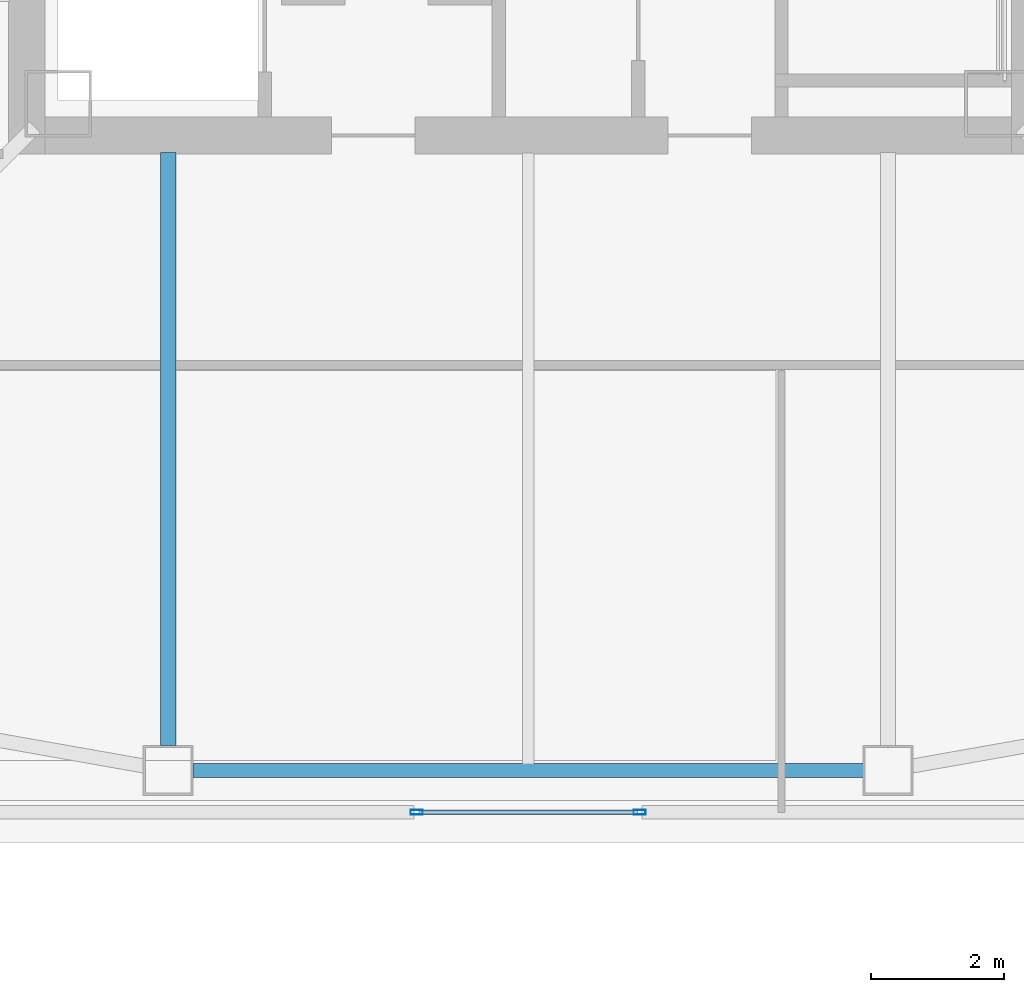
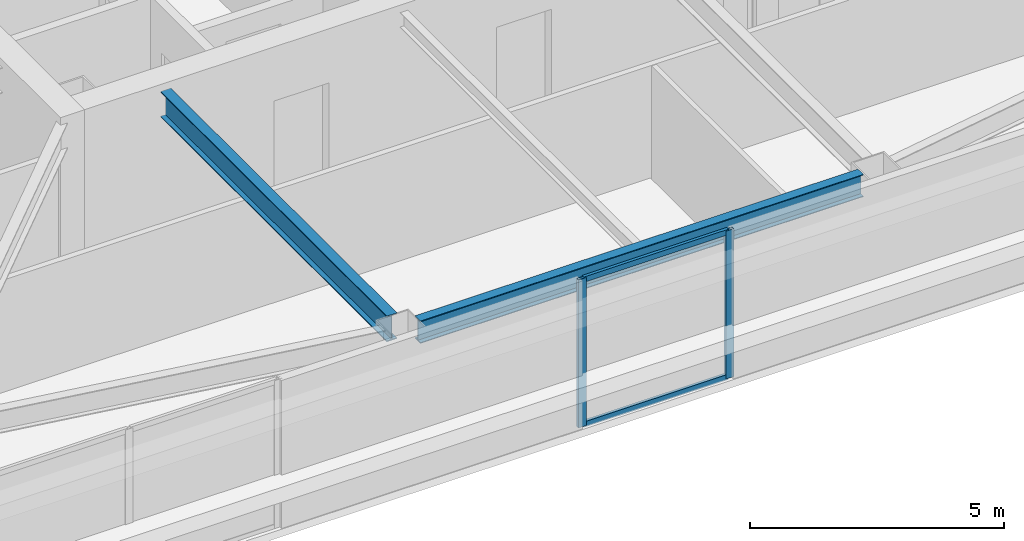
# One storey, part 5 of 43: 4 members, 2 beams, 1 element without a shape of its own.
"""IFC4 building model written with IfcOpenShell, lengths in metres."""

from ifc_helpers import new_model, si_unit, direction, frame, origin, origin_2d, place, context, subcontext, project, spatial, hollow_rectangle, i_section, extrude, material, material_profile, profile_set, type_object, element, aggregate, save


model = new_model("IFC4")

# Units and contexts
model_context = context("Model", 3, precision=1e-05, world=origin(), true_north=direction((0.0, 1.0)))
body_context = subcontext(model_context, "Body", "Model", "MODEL_VIEW")
ifc_project = project(units=[si_unit("LENGTHUNIT", "METRE"), si_unit("AREAUNIT", "SQUARE_METRE"), si_unit("VOLUMEUNIT", "CUBIC_METRE"), si_unit("PLANEANGLEUNIT", "RADIAN"), si_unit("MASSUNIT", "GRAM", prefix="KILO")], contexts=[model_context])

# Site, building, storey
site_placement = place(None, origin())
site = spatial("IfcSite", under=ifc_project, at=site_placement, CompositionType="ELEMENT")
building_placement = place(site_placement, origin())
building = spatial("IfcBuilding", under=site, at=building_placement, Name="Tashvorn Skyway Center", CompositionType="ELEMENT")
storey_placement = place(building_placement, frame((0.0, 0.0, 185.39990234375)))
storey = spatial("IfcBuildingStorey", under=building, at=storey_placement, Name="L50", CompositionType="ELEMENT", Elevation=185.39990234375)

# Beams
ifc_material_1 = material(Name="Steel ASTM A992 Grade 50", Category="steel")
ifc_material_profile_1 = material_profile(ifc_material_1, i_section(OverallWidth=0.22998046875, OverallDepth=0.616943359375, WebThickness=0.01318359375, FlangeThickness=0.022216796875, at=origin_2d()), Name="W24X94")
ifc_profile_set_1 = profile_set([ifc_material_profile_1], Name="Steel ASTM A992 Grade 50")
beam_type_1 = type_object("IfcBeamType", Name="BM-BEAM-W24X94", PredefinedType="BEAM", material=ifc_profile_set_1)
beam_1_placement = place(storey_placement, frame((36.60009765625, 15.320068359375, 3.0615234375), z_axis=(0.0, 1.0, 0.0), x_axis=(-1.0, 0.0, 0.0)))
element("IfcBeam", 1, at=beam_1_placement, inside=storey, type_object=beam_type_1, Name="Tower 1 L50 Primary Floor Girder FC-S1", PredefinedType="BEAM", context=body_context, shape_type="SweptSolid", body=[
    extrude(i_section(OverallWidth=0.22998046875, OverallDepth=0.616943359375, WebThickness=0.01318359375, FlangeThickness=0.022216796875, at=origin_2d()), origin(), (0.0, 0.0, 1.0), 8.89990234375),
])
ifc_material_profile_2 = material_profile(ifc_material_1, i_section(OverallWidth=0.2109375, OverallDepth=0.5390625, WebThickness=0.01171875, FlangeThickness=0.018798828125, at=origin_2d()), Name="W21X73")
ifc_profile_set_2 = profile_set([ifc_material_profile_2], Name="Steel ASTM A992 Grade 50")
beam_type_2 = type_object("IfcBeamType", Name="BM-SPANDREL-W21X73", PredefinedType="SPANDREL", material=ifc_profile_set_2)
beam_2_placement = place(storey_placement, frame((36.969970703125, 14.949951171875, 3.1005859375), z_axis=(1.0, 0.0, 0.0), x_axis=(0.0, 1.0, 0.0)))
element("IfcBeam", 2, at=beam_2_placement, inside=storey, type_object=beam_type_2, Name="Tower 1 L50 Spandrel Beam 02", PredefinedType="SPANDREL", context=body_context, shape_type="SweptSolid", body=[
    extrude(i_section(OverallWidth=0.2109375, OverallDepth=0.5390625, WebThickness=0.01171875, FlangeThickness=0.018798828125, at=origin_2d()), origin(), (0.0, 0.0, 1.0), 10.06005859375),
])

# Curtain wall, members
ifc_material_2 = material(Name="Thermally broken bronze-anodized aluminium 6063-T6", Category="aluminium")
curtain_wall_type = type_object("IfcCurtainWallType", Name="CW-CW-Z4", PredefinedType="NOTDEFINED", material=ifc_material_2)
curtain_wall_placement = place(storey_placement, origin())
curtain_wall = element("IfcCurtainWall", 3, at=curtain_wall_placement, inside=storey, type_object=curtain_wall_type, Name="Tower 1 L50 South Unitised Curtain Wall Glazing Group 2", PredefinedType="NOTDEFINED")
ifc_material_profile_3 = material_profile(ifc_material_2, hollow_rectangle(XDim=0.070068359375, YDim=0.179931640625, WallThickness=0.00390625, at=origin_2d()), Name="ALU-MULL-70x180")
ifc_profile_set_3 = profile_set([ifc_material_profile_3], Name="Thermally broken bronze-anodized aluminium 6063-T6")
member_type_1 = type_object("IfcMemberType", Name="CWM-CW-Z4", PredefinedType="MULLION", material=ifc_profile_set_3)
member_1_placement = place(storey_placement, frame((43.673828125, 14.320068359375, 0.0), z_axis=(0.0, 0.0, 1.0), x_axis=(0.0, -1.0, 0.0)))
member_1 = element("IfcMember", 4, at=member_1_placement, type_object=member_type_1, Name="CW-Z4 mullion 1", PredefinedType="MULLION", context=body_context, shape_type="SweptSolid", body=[
    extrude(hollow_rectangle(XDim=0.070068359375, YDim=0.179931640625, WallThickness=0.00390625, at=origin_2d()), origin(), (0.0, 0.0, 1.0), 3.550048828125),
])
member_2_placement = place(storey_placement, frame((40.326171875, 14.320068359375, 0.0), z_axis=(0.0, 0.0, 1.0), x_axis=(0.0, -1.0, 0.0)))
member_2 = element("IfcMember", 5, at=member_2_placement, type_object=member_type_1, Name="CW-Z4 mullion 2", PredefinedType="MULLION", context=body_context, shape_type="SweptSolid", body=[
    extrude(hollow_rectangle(XDim=0.070068359375, YDim=0.179931640625, WallThickness=0.00390625, at=origin_2d()), origin(), (0.0, 0.0, 1.0), 3.550048828125),
])
ifc_material_profile_4 = material_profile(ifc_material_2, hollow_rectangle(XDim=0.070068359375, YDim=0.1298828125, WallThickness=0.00390625, at=origin_2d()), Name="ALU-TRAN-70x130")
ifc_profile_set_4 = profile_set([ifc_material_profile_4], Name="Thermally broken bronze-anodized aluminium 6063-T6")
member_type_2 = type_object("IfcMemberType", Name="CWT-CW-Z4", PredefinedType="USERDEFINED", material=ifc_profile_set_4)
member_3_placement = place(storey_placement, frame((43.638916015625, 14.320068359375, 0.03515625), z_axis=(-1.0, 0.0, 0.0), x_axis=(0.0, -1.0, 0.0)))
member_3 = element("IfcMember", 6, at=member_3_placement, type_object=member_type_2, Name="CW-Z4 transom 1.1", ObjectType="TRANSOM", PredefinedType="USERDEFINED", context=body_context, shape_type="SweptSolid", body=[
    extrude(hollow_rectangle(XDim=0.070068359375, YDim=0.1298828125, WallThickness=0.00390625, at=origin_2d()), origin(), (0.0, 0.0, 1.0), 3.27783203125),
])
member_4_placement = place(storey_placement, frame((43.638916015625, 14.320068359375, 3.51513671875), z_axis=(-1.0, 0.0, 0.0), x_axis=(0.0, -1.0, 0.0)))
member_4 = element("IfcMember", 7, at=member_4_placement, type_object=member_type_2, Name="CW-Z4 transom 1.2", ObjectType="TRANSOM", PredefinedType="USERDEFINED", context=body_context, shape_type="SweptSolid", body=[
    extrude(hollow_rectangle(XDim=0.070068359375, YDim=0.1298828125, WallThickness=0.00390625, at=origin_2d()), origin(), (0.0, 0.0, 1.0), 3.27783203125),
])
aggregate(curtain_wall, [member_1, member_2, member_3, member_4])

save(model, "model.ifc")
